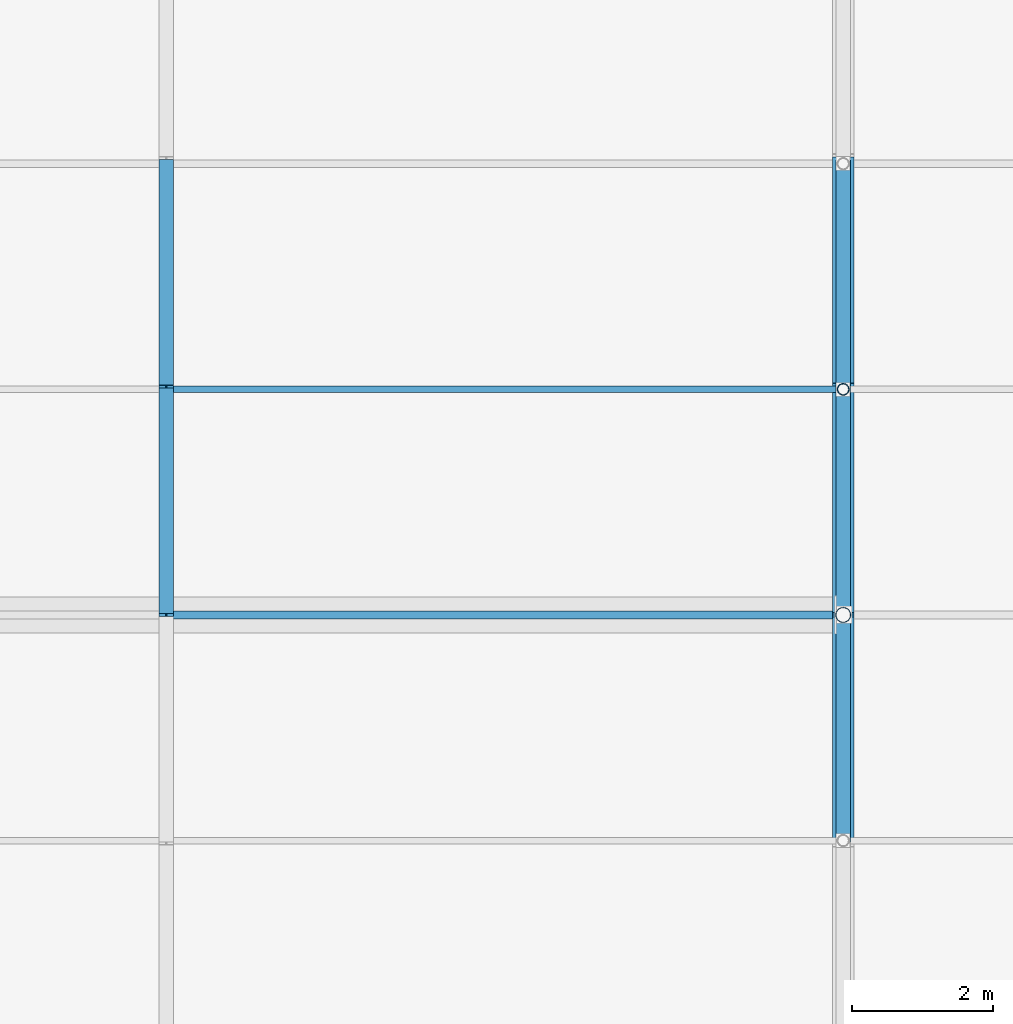
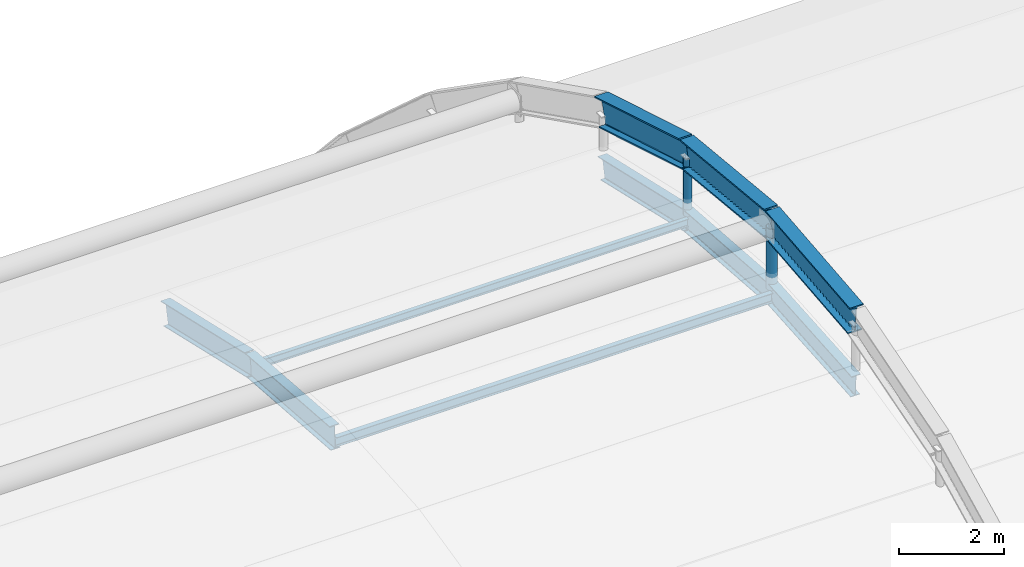
# One storey, part 65 of 126: 8 beams, 4 members.
"""IFC4 building model written with IfcOpenShell, lengths in metres."""

from ifc_helpers import new_model, si_unit, direction, frame, origin, origin_2d, place, context, subcontext, project, spatial, hollow_circle, i_section, extrude, material, material_profile, profile_set, type_object, element, save


model = new_model("IFC4")

# Units and contexts
model_context = context("Model", 3, precision=1e-05, world=origin(), true_north=direction((0.0, 1.0)))
body_context = subcontext(model_context, "Body", "Model", "MODEL_VIEW")
ifc_project = project(units=[si_unit("LENGTHUNIT", "METRE"), si_unit("AREAUNIT", "SQUARE_METRE"), si_unit("VOLUMEUNIT", "CUBIC_METRE"), si_unit("PLANEANGLEUNIT", "RADIAN"), si_unit("MASSUNIT", "GRAM", prefix="KILO")], contexts=[model_context])

# Site, building, storey
site_placement = place(None, origin())
site = spatial("IfcSite", under=ifc_project, at=site_placement, CompositionType="ELEMENT")
building_placement = place(site_placement, origin())
building = spatial("IfcBuilding", under=site, at=building_placement, Name="Coralgate Yard Interchange", CompositionType="ELEMENT")
storey_placement = place(building_placement, frame((0.0, 0.0, 10.5)))
storey = spatial("IfcBuildingStorey", under=building, at=storey_placement, Name="L02", CompositionType="ELEMENT", Elevation=10.5)

# Beams
ifc_material_1 = material(Name="Yellow-ochre weather-coated structural steel S355J2", Category="steel")
ifc_material_profile_1 = material_profile(ifc_material_1, i_section(OverallWidth=0.300048828125, OverallDepth=0.64990234375, WebThickness=0.01611328125, FlangeThickness=0.031005859375, FilletRadius=0.027099609375, at=origin_2d()), Name="HEB 650")
ifc_profile_set_1 = profile_set([ifc_material_profile_1], Name="Yellow-ochre weather-coated structural steel S355J2")
beam_type_1 = type_object("IfcBeamType", Name="BM-AR-1", PredefinedType="BEAM", material=ifc_profile_set_1)
beam_1_placement = place(storey_placement, frame((124.800048828125, 54.39990234375, 12.880615234375), z_axis=(0.0, 0.995058212944, 0.0992932669), x_axis=(-1.0, 0.0, 0.0)))
element("IfcBeam", 1, at=beam_1_placement, inside=storey, type_object=beam_type_1, Name="Yellow-ochre overarching steel arch AR-5 chord 7", PredefinedType="BEAM", context=body_context, shape_type="SweptSolid", body=[
    extrude(i_section(OverallWidth=0.300048828125, OverallDepth=0.64990234375, WebThickness=0.01611328125, FlangeThickness=0.031005859375, FilletRadius=0.027099609375, at=origin_2d()), origin(), (0.0, 0.0, 1.0), 3.216064453125),
])
beam_2_placement = place(storey_placement, frame((124.800048828125, 57.60009765625, 13.199951171875), z_axis=(0.0, 0.995057464429, -0.099300767794), x_axis=(-1.0, 0.0, 0.0)))
element("IfcBeam", 2, at=beam_2_placement, inside=storey, type_object=beam_type_1, Name="Yellow-ochre overarching steel arch AR-5 chord 8", PredefinedType="BEAM", context=body_context, shape_type="SweptSolid", body=[
    extrude(i_section(OverallWidth=0.300048828125, OverallDepth=0.64990234375, WebThickness=0.01611328125, FlangeThickness=0.031005859375, FilletRadius=0.027099609375, at=origin_2d()), origin(), (0.0, 0.0, 1.0), 3.2158203125),
])
beam_3_placement = place(storey_placement, frame((124.800048828125, 60.800048828125, 12.880615234375), z_axis=(0.0, 0.957948903279, -0.286938841403), x_axis=(-1.0, 0.0, 0.0)))
element("IfcBeam", 3, at=beam_3_placement, inside=storey, type_object=beam_type_1, Name="Yellow-ochre overarching steel arch AR-5 chord 9", PredefinedType="BEAM", context=body_context, shape_type="SweptSolid", body=[
    extrude(i_section(OverallWidth=0.300048828125, OverallDepth=0.64990234375, WebThickness=0.01611328125, FlangeThickness=0.031005859375, FilletRadius=0.027099609375, at=origin_2d()), origin(), (0.0, 0.0, 1.0), 3.34033203125),
])
ifc_material_2 = material(Name="Weather-coated structural steel S355J2", Category="steel")
ifc_material_profile_2 = material_profile(ifc_material_2, i_section(OverallWidth=0.209228515625, OverallDepth=0.533203125, WebThickness=0.010009765625, FlangeThickness=0.015625, FilletRadius=0.0126953125, at=origin_2d()), Name="UB 533x210x92")
ifc_profile_set_2 = profile_set([ifc_material_profile_2], Name="Weather-coated structural steel S355J2")
beam_type_2 = type_object("IfcBeamType", Name="BM-VR-1", PredefinedType="BEAM", material=ifc_profile_set_2)
beam_4_placement = place(storey_placement, frame((115.199951171875, 57.60009765625, 11.558349609375), z_axis=(0.0, 0.997210788487, -0.074636742466), x_axis=(-1.0, 0.0, 0.0)))
element("IfcBeam", 4, at=beam_4_placement, inside=storey, type_object=beam_type_2, Name="Barrel-vault gridshell rib 9 seg 7", PredefinedType="BEAM", context=body_context, shape_type="SweptSolid", body=[
    extrude(i_section(OverallWidth=0.209228515625, OverallDepth=0.533203125, WebThickness=0.010009765625, FlangeThickness=0.015625, FilletRadius=0.0126953125, at=origin_2d()), origin(), (0.0, 0.0, 1.0), 3.208984375),
])
beam_5_placement = place(storey_placement, frame((115.199951171875, 60.800048828125, 11.31884765625), z_axis=(0.0, 0.974597563071, -0.223963367664), x_axis=(-1.0, 0.0, 0.0)))
element("IfcBeam", 5, at=beam_5_placement, inside=storey, type_object=beam_type_2, Name="Barrel-vault gridshell rib 9 seg 8", PredefinedType="BEAM", context=body_context, shape_type="SweptSolid", body=[
    extrude(i_section(OverallWidth=0.209228515625, OverallDepth=0.533203125, WebThickness=0.010009765625, FlangeThickness=0.015625, FilletRadius=0.0126953125, at=origin_2d()), origin(), (0.0, 0.0, 1.0), 3.283447265625),
])
ifc_material_profile_3 = material_profile(ifc_material_2, i_section(OverallWidth=0.199951171875, OverallDepth=0.5, WebThickness=0.01025390625, FlangeThickness=0.01611328125, FilletRadius=0.02099609375, at=origin_2d()), Name="IPE 500")
ifc_profile_set_3 = profile_set([ifc_material_profile_3], Name="Weather-coated structural steel S355J2")
beam_type_3 = type_object("IfcBeamType", Name="BM-VR-2", PredefinedType="BEAM", material=ifc_profile_set_3)
beam_6_placement = place(storey_placement, frame((124.800048828125, 54.39990234375, 11.335205078125), z_axis=(0.0, 0.997211212266, 0.074631080198), x_axis=(-1.0, 0.0, 0.0)))
element("IfcBeam", 6, at=beam_6_placement, inside=storey, type_object=beam_type_3, Name="Barrel-vault gridshell rib 10 seg 6", PredefinedType="BEAM", context=body_context, shape_type="SweptSolid", body=[
    extrude(i_section(OverallWidth=0.199951171875, OverallDepth=0.5, WebThickness=0.01025390625, FlangeThickness=0.01611328125, FilletRadius=0.02099609375, at=origin_2d()), origin(), (0.0, 0.0, 1.0), 3.209228515625),
])
beam_7_placement = place(storey_placement, frame((124.800048828125, 57.60009765625, 11.57470703125), z_axis=(0.0, 0.997210788487, -0.074636742466), x_axis=(-1.0, 0.0, 0.0)))
element("IfcBeam", 7, at=beam_7_placement, inside=storey, type_object=beam_type_3, Name="Barrel-vault gridshell rib 10 seg 7", PredefinedType="BEAM", context=body_context, shape_type="SweptSolid", body=[
    extrude(i_section(OverallWidth=0.199951171875, OverallDepth=0.5, WebThickness=0.01025390625, FlangeThickness=0.01611328125, FilletRadius=0.02099609375, at=origin_2d()), origin(), (0.0, 0.0, 1.0), 3.208984375),
])
beam_8_placement = place(storey_placement, frame((124.800048828125, 60.800048828125, 11.335205078125), z_axis=(0.0, 0.974613791, -0.22389273859), x_axis=(-1.0, 0.0, 0.0)))
element("IfcBeam", 8, at=beam_8_placement, inside=storey, type_object=beam_type_3, Name="Barrel-vault gridshell rib 10 seg 8", PredefinedType="BEAM", context=body_context, shape_type="SweptSolid", body=[
    extrude(i_section(OverallWidth=0.199951171875, OverallDepth=0.5, WebThickness=0.01025390625, FlangeThickness=0.01611328125, FilletRadius=0.02099609375, at=origin_2d()), origin(), (0.0, 0.0, 1.0), 3.283203125),
])

# Members
ifc_material_profile_4 = material_profile(ifc_material_1, hollow_circle(Radius=0.109619140625, WallThickness=0.010009765625, at=origin_2d()), Name="CHS 219.1x10")
ifc_profile_set_4 = profile_set([ifc_material_profile_4], Name="Yellow-ochre weather-coated structural steel S355J2")
member_type_1 = type_object("IfcMemberType", Name="MB-HG-1", PredefinedType="STRUT", material=ifc_profile_set_4)
member_1_placement = place(storey_placement, frame((124.800048828125, 57.60009765625, 11.6748046875), z_axis=(0.0, 0.0, 1.0), x_axis=(1.0, 0.0, 0.0)))
element("IfcMember", 9, at=member_1_placement, inside=storey, type_object=member_type_1, Name="Arch AR-5 steel suspension hanger 6", PredefinedType="STRUT", context=body_context, shape_type="SweptSolid", body=[
    extrude(hollow_circle(Radius=0.109619140625, WallThickness=0.010009765625, at=origin_2d()), origin(), (0.0, 0.0, 1.0), 1.42529296875),
])
ifc_material_profile_5 = material_profile(ifc_material_1, hollow_circle(Radius=0.084228515625, WallThickness=0.008056640625, at=origin_2d()), Name="CHS 168.3x8")
ifc_profile_set_5 = profile_set([ifc_material_profile_5], Name="Yellow-ochre weather-coated structural steel S355J2")
member_type_2 = type_object("IfcMemberType", Name="MB-HG-2", PredefinedType="STRUT", material=ifc_profile_set_5)
member_2_placement = place(storey_placement, frame((124.800048828125, 60.800048828125, 11.435302734375), z_axis=(0.0, 0.0, 1.0), x_axis=(1.0, 0.0, 0.0)))
element("IfcMember", 10, at=member_2_placement, inside=storey, type_object=member_type_2, Name="Arch AR-5 steel suspension hanger 7", PredefinedType="STRUT", context=body_context, shape_type="SweptSolid", body=[
    extrude(hollow_circle(Radius=0.084228515625, WallThickness=0.008056640625, at=origin_2d()), origin(), (0.0, 0.0, 1.0), 1.34521484375),
])
ifc_material_profile_6 = material_profile(ifc_material_2, i_section(OverallWidth=0.110107421875, OverallDepth=0.219970703125, WebThickness=0.005859375, FlangeThickness=0.00927734375, FilletRadius=0.011962890625, at=origin_2d()), Name="IPE 220")
ifc_profile_set_6 = profile_set([ifc_material_profile_6], Name="Weather-coated structural steel S355J2")
member_type_3 = type_object("IfcMemberType", Name="MB-PR-1", PredefinedType="PURLIN", material=ifc_profile_set_6)
member_3_placement = place(storey_placement, frame((115.201904296875, 57.60009765625, 11.46484375), z_axis=(1.0, 0.0, 0.0), x_axis=(0.0, 1.0, 0.0)))
element("IfcMember", 11, at=member_3_placement, inside=storey, type_object=member_type_3, Name="Barrel-vault gridshell purlin 9-7", PredefinedType="PURLIN", context=body_context, shape_type="SweptSolid", body=[
    extrude(i_section(OverallWidth=0.110107421875, OverallDepth=0.219970703125, WebThickness=0.005859375, FlangeThickness=0.00927734375, FilletRadius=0.011962890625, at=origin_2d()), origin(), (0.0, 0.0, 1.0), 9.59619140625),
])
ifc_material_3 = material(Name="Off-white architectural structural steel S355J2", Category="steel")
ifc_material_profile_7 = material_profile(ifc_material_3, i_section(OverallWidth=0.091064453125, OverallDepth=0.179931640625, WebThickness=0.00537109375, FlangeThickness=0.008056640625, FilletRadius=0.009033203125, at=origin_2d()), Name="IPE 180")
ifc_profile_set_7 = profile_set([ifc_material_profile_7], Name="Off-white architectural structural steel S355J2")
member_type_4 = type_object("IfcMemberType", Name="MB-PR-2", PredefinedType="PURLIN", material=ifc_profile_set_7)
member_4_placement = place(storey_placement, frame((115.201904296875, 60.800048828125, 11.265380859375), z_axis=(1.0, 0.0, 0.0), x_axis=(0.0, 1.0, 0.0)))
element("IfcMember", 12, at=member_4_placement, inside=storey, type_object=member_type_4, Name="Barrel-vault gridshell purlin 9-8", PredefinedType="PURLIN", context=body_context, shape_type="SweptSolid", body=[
    extrude(i_section(OverallWidth=0.091064453125, OverallDepth=0.179931640625, WebThickness=0.00537109375, FlangeThickness=0.008056640625, FilletRadius=0.009033203125, at=origin_2d()), origin(), (0.0, 0.0, 1.0), 9.59619140625),
])

save(model, "model.ifc")
